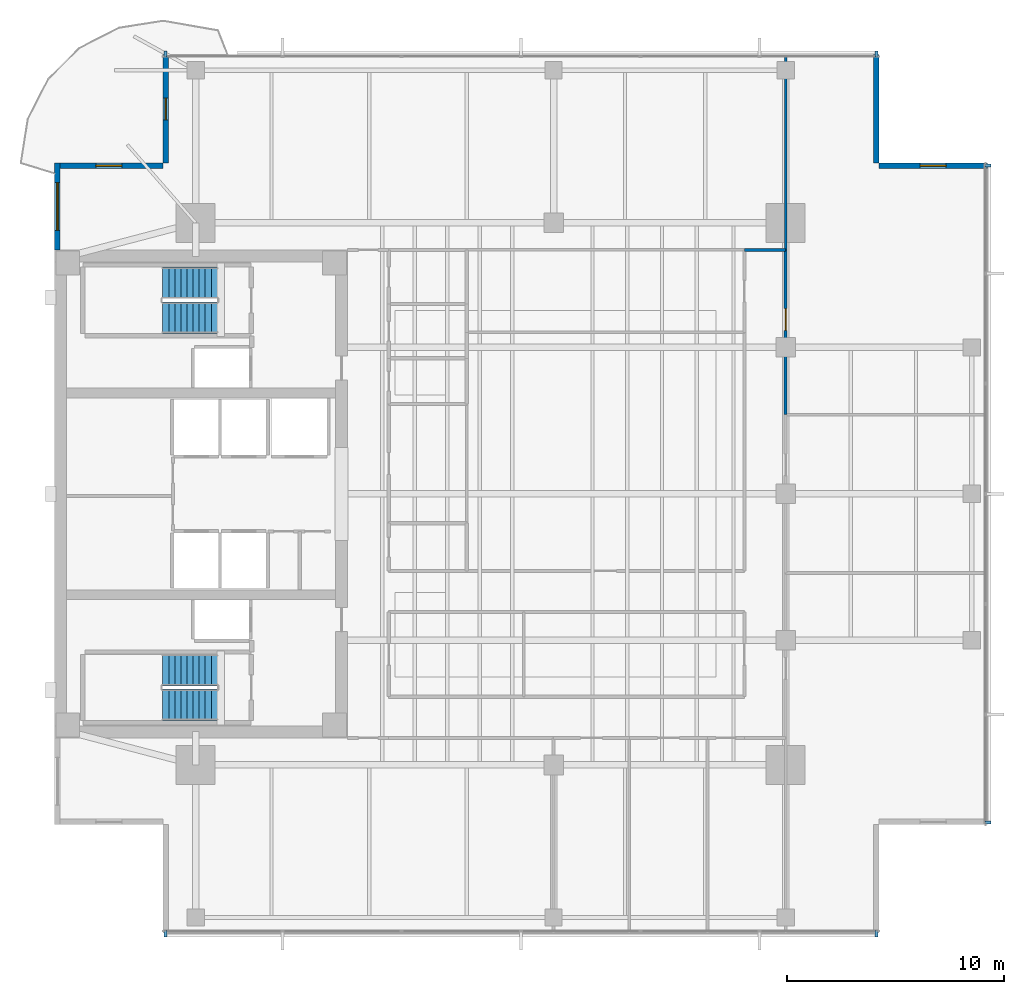
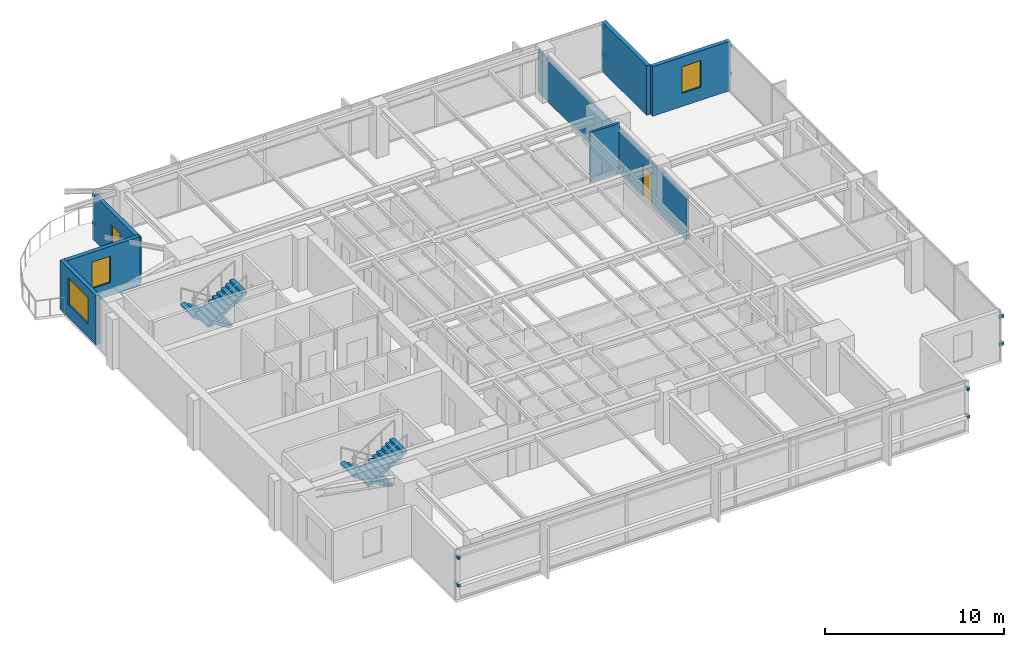
# One storey, part 10 of 14: 12 discrete accessories, 8 walls, 4 stair flights, 3 windows, 2 doors, 5 openings, 2 elements without a shape of their own.
"""IFC4 building model written with IfcOpenShell, lengths in metres."""

from ifc_helpers import new_model, si_unit, direction, frame, frame_2d, origin, origin_2d, place, context, subcontext, project, spatial, polyline, rectangle, outline, extrude, material, layer, layer_set, type_object, element, fill, aggregate, save


model = new_model("IFC4")

# Units and contexts
model_context = context("Model", 3, precision=1e-05, world=origin(), true_north=direction((0.0, 1.0)))
body_context = subcontext(model_context, "Body", "Model", "MODEL_VIEW")
ifc_project = project(units=[si_unit("LENGTHUNIT", "METRE"), si_unit("AREAUNIT", "SQUARE_METRE"), si_unit("VOLUMEUNIT", "CUBIC_METRE"), si_unit("PLANEANGLEUNIT", "RADIAN"), si_unit("MASSUNIT", "GRAM", prefix="KILO")], contexts=[model_context])

# Site, building, storey
site_placement = place(None, origin())
site = spatial("IfcSite", under=ifc_project, at=site_placement, CompositionType="ELEMENT")
building_placement = place(site_placement, origin())
building = spatial("IfcBuilding", under=site, at=building_placement, Name="Kinhvarn Gate Tower", CompositionType="ELEMENT")
storey_placement = place(building_placement, frame((0.0, 0.0, 223.550048828125)))
storey = spatial("IfcBuildingStorey", under=building, at=storey_placement, Name="L59", CompositionType="ELEMENT", Elevation=223.550048828125)

# Wall, opening, window
ifc_material_1 = material(Name="Fired architectural terracotta", Category="masonry")
ifc_layer_1 = layer(ifc_material_1, 0.25)
ifc_layer_set_1 = layer_set([ifc_layer_1], Name="Fired architectural terracotta")
wall_type_1 = type_object("IfcWallType", Name="WL-EXT-250", PredefinedType="SOLIDWALL", material=ifc_layer_set_1)
wall_1_placement = place(storey_placement, frame((4.625, 40.5, 0.0), z_axis=(0.0, 0.0, 1.0), x_axis=(0.0, -1.0, 0.0)))
wall_1 = element("IfcWall", 1, at=wall_1_placement, inside=storey, type_object=wall_type_1, Name="Exterior Solidwall Wall EW-250 (L59 West-North)", PredefinedType="SOLIDWALL", context=body_context, shape_type="SweptSolid", body=[
    extrude(rectangle(XDim=4.0, YDim=0.25, at=frame_2d((2.0, 0.0))), origin(), (0.0, 0.0, 1.0), 3.369873046875),
])
opening_1_placement = place(wall_1_placement, frame((0.89990234375, 0.0, 0.89990234375)))
opening_1 = element("IfcOpeningElement", 2, at=opening_1_placement, cuts=wall_1, Name="Opening WN-01", PredefinedType="OPENING", context=body_context, shape_type="SweptSolid", body=[
    extrude(rectangle(XDim=2.199951171875, YDim=1.800048828125, at=frame_2d((1.10009765625, 0.89990234375))), frame((0.0, 0.135009765625, 0.0), z_axis=(0.0, -1.0, 0.0), x_axis=(1.0, 0.0, 0.0)), (0.0, 0.0, 1.0), 0.27001953125),
])
ifc_material_2 = material(Name="Clear low-e double glazing", Category="glass")
window_type_1 = type_object("IfcWindowType", Name="WIN-RIB-2200", PartitioningType="SINGLE_PANEL", PredefinedType="WINDOW", material=ifc_material_2)
window_1_placement = place(opening_1_placement, origin())
window_1 = element("IfcWindow", 3, at=window_1_placement, inside=storey, type_object=window_type_1, Name="West Flank Double-Glazed Ribbon Window 2200x1800 mm (L59)", OverallHeight=1.800048828125, OverallWidth=2.199951171875, PartitioningType="SINGLE_PANEL", PredefinedType="WINDOW", context=body_context, shape_type="SweptSolid", body=[
    extrude(rectangle(XDim=2.199951171875, YDim=1.800048828125, at=frame_2d((1.10009765625, 0.89990234375))), frame((0.0, 0.030029296875, 0.0), z_axis=(0.0, -1.0, 0.0), x_axis=(1.0, 0.0, 0.0)), (0.0, 0.0, 1.0), 0.06005859375),
])
fill(opening_1, window_1)

wall_2_placement = place(storey_placement, frame((47.5, 40.375, 0.0), z_axis=(0.0, 0.0, 1.0), x_axis=(-1.0, 0.0, 0.0)))
wall_2 = element("IfcWall", 4, at=wall_2_placement, inside=storey, type_object=wall_type_1, Name="Exterior Solidwall Wall EW-250 (L59 NE-Notch-1)", PredefinedType="SOLIDWALL", context=body_context, shape_type="SweptSolid", body=[
    extrude(rectangle(XDim=5.0, YDim=0.25, at=frame_2d((2.5, 0.0))), origin(), (0.0, 0.0, 1.0), 3.369873046875),
])
opening_2_placement = place(wall_2_placement, frame((1.89990234375, 0.0, 0.89990234375)))
opening_2 = element("IfcOpeningElement", 5, at=opening_2_placement, cuts=wall_2, Name="Opening WN-02", PredefinedType="OPENING", context=body_context, shape_type="SweptSolid", body=[
    extrude(rectangle(XDim=1.199951171875, YDim=1.800048828125, at=frame_2d((0.60009765625, 0.89990234375))), frame((0.0, 0.135009765625, 0.0), z_axis=(0.0, -1.0, 0.0), x_axis=(1.0, 0.0, 0.0)), (0.0, 0.0, 1.0), 0.27001953125),
])
window_type_2 = type_object("IfcWindowType", Name="WIN-NTC-1200", PartitioningType="SINGLE_PANEL", PredefinedType="WINDOW", material=ifc_material_2)
window_2_placement = place(opening_2_placement, origin())
window_2 = element("IfcWindow", 6, at=window_2_placement, inside=storey, type_object=window_type_2, Name="Recessed Corner Notch Punched Window 1200x1800 mm (L59)", OverallHeight=1.800048828125, OverallWidth=1.199951171875, PartitioningType="SINGLE_PANEL", PredefinedType="WINDOW", context=body_context, shape_type="SweptSolid", body=[
    extrude(rectangle(XDim=1.199951171875, YDim=1.800048828125, at=frame_2d((0.60009765625, 0.89990234375))), frame((0.0, 0.030029296875, 0.0), z_axis=(0.0, -1.0, 0.0), x_axis=(1.0, 0.0, 0.0)), (0.0, 0.0, 1.0), 0.06005859375),
])
fill(opening_2, window_2)

# Wall
wall_3_placement = place(storey_placement, frame((42.375, 40.5, 0.0), z_axis=(0.0, 0.0, 1.0), x_axis=(0.0, 1.0, 0.0)))
element("IfcWall", 7, at=wall_3_placement, inside=storey, type_object=wall_type_1, Name="Exterior Solidwall Wall EW-250 (L59 NE-Notch-2)", PredefinedType="SOLIDWALL", context=body_context, shape_type="SweptSolid", body=[
    extrude(rectangle(XDim=5.0, YDim=0.25, at=frame_2d((2.5, 0.0))), origin(), (0.0, 0.0, 1.0), 3.369873046875),
])

# Wall, opening, door
wall_4_placement = place(storey_placement, frame((9.625, 45.5, 0.0), z_axis=(0.0, 0.0, 1.0), x_axis=(0.0, -1.0, 0.0)))
wall_4 = element("IfcWall", 8, at=wall_4_placement, inside=storey, type_object=wall_type_1, Name="Exterior Solidwall Wall EW-250 (L59 NW-Notch-Door)", PredefinedType="SOLIDWALL", context=body_context, shape_type="SweptSolid", body=[
    extrude(rectangle(XDim=5.0, YDim=0.25, at=frame_2d((2.5, 0.0))), origin(), (0.0, 0.0, 1.0), 3.099853515625),
])
opening_3_placement = place(wall_4_placement, frame((2.0, 0.0, 0.0)))
opening_3 = element("IfcOpeningElement", 9, at=opening_3_placement, cuts=wall_4, Name="Opening BD-01", PredefinedType="OPENING", context=body_context, shape_type="SweptSolid", body=[
    extrude(rectangle(XDim=1.0, YDim=2.199951171875, at=frame_2d((0.5, 1.10009765625))), frame((0.0, 0.135009765625, 0.0), z_axis=(0.0, -1.0, 0.0), x_axis=(1.0, 0.0, 0.0)), (0.0, 0.0, 1.0), 0.27001953125),
])
door_type_1 = type_object("IfcDoorType", Name="DR-BAL-1000", OperationType="NOTDEFINED", PredefinedType="DOOR", material=ifc_material_2)
door_1_placement = place(opening_3_placement, frame((1.0, 0.0, 0.0), z_axis=(0.0, 0.0, 1.0), x_axis=(-1.0, 0.0, 0.0)))
door_1 = element("IfcDoor", 10, at=door_1_placement, inside=storey, type_object=door_type_1, Name="S-Carve Balcony Door BD-01 (L59)", OperationType="SINGLE_SWING_RIGHT", OverallHeight=2.199951171875, OverallWidth=1.0, PredefinedType="DOOR", context=body_context, shape_type="SweptSolid", body=[
    extrude(rectangle(XDim=1.0, YDim=2.199951171875, at=frame_2d((0.5, 1.10009765625))), frame((0.0, 0.02490234375, 0.0), z_axis=(0.0, -1.0, 0.0), x_axis=(1.0, 0.0, 0.0)), (0.0, 0.0, 1.0), 0.050048828125),
])
fill(opening_3, door_1)

# Wall, opening, window
wall_5_placement = place(storey_placement, frame((9.5, 40.375, 0.0), z_axis=(0.0, 0.0, 1.0), x_axis=(-1.0, 0.0, 0.0)))
wall_5 = element("IfcWall", 11, at=wall_5_placement, inside=storey, type_object=wall_type_1, Name="Exterior Solidwall Wall EW-250 (L59 NW-Notch-Win)", PredefinedType="SOLIDWALL", context=body_context, shape_type="SweptSolid", body=[
    extrude(rectangle(XDim=5.0, YDim=0.25, at=frame_2d((2.5, 0.0))), origin(), (0.0, 0.0, 1.0), 3.369873046875),
])
opening_4_placement = place(wall_5_placement, frame((1.89990234375, 0.0, 0.89990234375)))
opening_4 = element("IfcOpeningElement", 12, at=opening_4_placement, cuts=wall_5, Name="Opening WN-02", PredefinedType="OPENING", context=body_context, shape_type="SweptSolid", body=[
    extrude(rectangle(XDim=1.199951171875, YDim=1.800048828125, at=frame_2d((0.60009765625, 0.89990234375))), frame((0.0, 0.135009765625, 0.0), z_axis=(0.0, -1.0, 0.0), x_axis=(1.0, 0.0, 0.0)), (0.0, 0.0, 1.0), 0.27001953125),
])
window_3_placement = place(opening_4_placement, origin())
window_3 = element("IfcWindow", 13, at=window_3_placement, inside=storey, type_object=window_type_2, Name="Recessed Corner Notch Punched Window 1200x1800 mm (L59)", OverallHeight=1.800048828125, OverallWidth=1.199951171875, PartitioningType="SINGLE_PANEL", PredefinedType="WINDOW", context=body_context, shape_type="SweptSolid", body=[
    extrude(rectangle(XDim=1.199951171875, YDim=1.800048828125, at=frame_2d((0.60009765625, 0.89990234375))), frame((0.0, 0.030029296875, 0.0), z_axis=(0.0, -1.0, 0.0), x_axis=(1.0, 0.0, 0.0)), (0.0, 0.0, 1.0), 0.06005859375),
])
fill(opening_4, window_3)

# Walls
ifc_material_3 = material(Name="Gypsum acoustic partition board")
ifc_layer_2 = layer(ifc_material_3, 0.1201171875)
ifc_layer_set_2 = layer_set([ifc_layer_2], Name="Gypsum acoustic partition board")
wall_type_2 = type_object("IfcWallType", Name="WL-PRT-120", PredefinedType="PARTITIONING", material=ifc_layer_set_2)
wall_6_placement = place(storey_placement, frame((38.199951171875, 36.5, 0.0), z_axis=(0.0, 0.0, 1.0), x_axis=(0.0, 1.0, 0.0)))
element("IfcWall", 14, at=wall_6_placement, inside=storey, type_object=wall_type_2, Name="Interior Partition PW-120 (L59)", PredefinedType="PARTITIONING", context=body_context, shape_type="SweptSolid", body=[
    extrude(rectangle(XDim=8.989990234375, YDim=0.1201171875, at=frame_2d((4.4951171875, 0.0))), origin(), (0.0, 0.0, 1.0), 2.919921875),
])
ifc_layer_3 = layer(ifc_material_3, 0.14990234375)
ifc_layer_set_3 = layer_set([ifc_layer_3], Name="Gypsum acoustic partition board")
wall_type_3 = type_object("IfcWallType", Name="WL-PRT-150F", PredefinedType="PARTITIONING", material=ifc_layer_set_3)
wall_7_placement = place(storey_placement, frame((36.300048828125, 36.5, 0.0), z_axis=(0.0, 0.0, 1.0), x_axis=(1.0, 0.0, 0.0)))
element("IfcWall", 15, at=wall_7_placement, inside=storey, type_object=wall_type_3, Name="Interior Partition PW-150F (L59)", PredefinedType="PARTITIONING", context=body_context, shape_type="SweptSolid", body=[
    extrude(rectangle(XDim=1.89990234375, YDim=0.14990234375, at=frame_2d((0.949951171875, 0.0))), origin(), (0.0, 0.0, 1.0), 3.369873046875),
])

# Wall, opening, door
wall_8_placement = place(storey_placement, frame((38.199951171875, 28.89990234375, 0.0), z_axis=(0.0, 0.0, 1.0), x_axis=(0.0, 1.0, 0.0)))
wall_8 = element("IfcWall", 16, at=wall_8_placement, inside=storey, type_object=wall_type_3, Name="Interior Partition PW-150F (L59)", PredefinedType="PARTITIONING", context=body_context, shape_type="SweptSolid", body=[
    extrude(rectangle(XDim=7.60009765625, YDim=0.14990234375, at=frame_2d((3.800048828125, 0.0))), origin(), (0.0, 0.0, 1.0), 2.919921875),
])
opening_5_placement = place(wall_8_placement, frame((3.89404296875, 0.0, 0.0)))
opening_5 = element("IfcOpeningElement", 17, at=opening_5_placement, cuts=wall_8, Name="Opening ID-02", PredefinedType="OPENING", context=body_context, shape_type="SweptSolid", body=[
    extrude(rectangle(XDim=1.0, YDim=2.14990234375, at=frame_2d((0.5, 1.074951171875))), frame((0.0, 0.0849609375, 0.0), z_axis=(0.0, -1.0, 0.0), x_axis=(1.0, 0.0, 0.0)), (0.0, 0.0, 1.0), 0.169921875),
])
ifc_material_4 = material(Name="Anodised aluminium AW-6063", Category="aluminium")
door_type_2 = type_object("IfcDoorType", Name="DR-INT-1000", OperationType="NOTDEFINED", PredefinedType="DOOR", material=ifc_material_4)
door_2_placement = place(opening_5_placement, origin())
door_2 = element("IfcDoor", 18, at=door_2_placement, inside=storey, type_object=door_type_2, Name="Standard Office & Meeting Room Door 1000x2150 mm (L59)", OperationType="SINGLE_SWING_LEFT", OverallHeight=2.14990234375, OverallWidth=1.0, PredefinedType="DOOR", context=body_context, shape_type="SweptSolid", body=[
    extrude(rectangle(XDim=1.0, YDim=2.14990234375, at=frame_2d((0.5, 1.074951171875))), frame((0.0, 0.02490234375, 0.0), z_axis=(0.0, -1.0, 0.0), x_axis=(1.0, 0.0, 0.0)), (0.0, 0.0, 1.0), 0.050048828125),
])
fill(opening_5, door_2)

# Stair, stair flights
ifc_material_5 = material(Name="Concrete C40/50", Category="concrete")
stair_type = type_object("IfcStairType", Name="STR-DLG-177", PredefinedType="HALF_TURN_STAIR", material=ifc_material_5)
stair_1_placement = place(storey_placement, origin())
stair_1 = element("IfcStair", 19, at=stair_1_placement, inside=storey, type_object=stair_type, Name="L59 Core Smokeproof Exit Stair ST1", PredefinedType="HALF_TURN_STAIR")
stair_flight_type = type_object("IfcStairFlightType", Name="STF-DLG-177", PredefinedType="STRAIGHT", material=ifc_material_5)
stair_flight_1_placement = place(storey_placement, frame((12.0, 17.125, 0.0), z_axis=(0.0, 0.0, 1.0), x_axis=(-1.0, 0.0, 0.0)))
stair_flight_1 = element("IfcStairFlight", 20, at=stair_flight_1_placement, type_object=stair_flight_type, Name="ST1 flight 1", NumberOfRisers=10, NumberOfTreads=9, PredefinedType="STRAIGHT", RiserHeight=0.1775, TreadLength=0.28, context=body_context, shape_type="SweptSolid", body=[
    extrude(outline(polyline([(0.0, 0.0), (0.0, 0.177490234375), (0.280029296875, 0.177490234375), (0.280029296875, 0.35498046875), (0.56005859375, 0.35498046875), (0.56005859375, 0.532470703125), (0.840087890625, 0.532470703125), (0.840087890625, 0.7099609375), (1.1201171875, 0.7099609375), (1.1201171875, 0.887451171875), (1.39990234375, 0.887451171875), (1.39990234375, 1.06494140625), (1.679931640625, 1.06494140625), (1.679931640625, 1.242431640625), (1.9599609375, 1.242431640625), (1.9599609375, 1.419921875), (2.239990234375, 1.419921875), (2.239990234375, 1.597412109375), (2.52001953125, 1.597412109375), (2.52001953125, 1.77490234375), (2.52001953125, 1.419921875), (0.280029296875, 0.0), (0.0, 0.0)])), frame((0.0, 0.72509765625, 0.0), z_axis=(0.0, -1.0, 0.0), x_axis=(1.0, 0.0, 0.0)), (0.0, 0.0, 1.0), 1.449951171875),
])
stair_flight_2_placement = place(storey_placement, frame((9.47998046875, 15.52490234375, 1.77490234375), z_axis=(0.0, 0.0, 1.0), x_axis=(1.0, 0.0, 0.0)))
stair_flight_2 = element("IfcStairFlight", 21, at=stair_flight_2_placement, type_object=stair_flight_type, Name="ST1 flight 2", NumberOfRisers=10, NumberOfTreads=9, PredefinedType="STRAIGHT", RiserHeight=0.1775, TreadLength=0.28, context=body_context, shape_type="SweptSolid", body=[
    extrude(outline(polyline([(0.0, 0.0), (0.0, 0.177490234375), (0.280029296875, 0.177490234375), (0.280029296875, 0.35498046875), (0.56005859375, 0.35498046875), (0.56005859375, 0.532470703125), (0.840087890625, 0.532470703125), (0.840087890625, 0.7099609375), (1.1201171875, 0.7099609375), (1.1201171875, 0.887451171875), (1.39990234375, 0.887451171875), (1.39990234375, 1.06494140625), (1.679931640625, 1.06494140625), (1.679931640625, 1.242431640625), (1.9599609375, 1.242431640625), (1.9599609375, 1.419921875), (2.239990234375, 1.419921875), (2.239990234375, 1.597412109375), (2.52001953125, 1.597412109375), (2.52001953125, 1.77490234375), (2.52001953125, 1.419921875), (0.280029296875, 0.0), (0.0, 0.0)])), frame((0.0, 0.72509765625, 0.0), z_axis=(0.0, -1.0, 0.0), x_axis=(1.0, 0.0, 0.0)), (0.0, 0.0, 1.0), 1.449951171875),
])
aggregate(stair_1, [stair_flight_1, stair_flight_2])

stair_2_placement = place(storey_placement, origin())
stair_2 = element("IfcStair", 22, at=stair_2_placement, inside=storey, type_object=stair_type, Name="L59 Core Smokeproof Exit Stair ST2", PredefinedType="HALF_TURN_STAIR")
stair_flight_3_placement = place(storey_placement, frame((12.0, 34.97509765625, 0.0), z_axis=(0.0, 0.0, 1.0), x_axis=(-1.0, 0.0, 0.0)))
stair_flight_3 = element("IfcStairFlight", 23, at=stair_flight_3_placement, type_object=stair_flight_type, Name="ST2 flight 1", NumberOfRisers=10, NumberOfTreads=9, PredefinedType="STRAIGHT", RiserHeight=0.1775, TreadLength=0.28, context=body_context, shape_type="SweptSolid", body=[
    extrude(outline(polyline([(0.0, 0.0), (0.0, 0.177490234375), (0.280029296875, 0.177490234375), (0.280029296875, 0.35498046875), (0.56005859375, 0.35498046875), (0.56005859375, 0.532470703125), (0.840087890625, 0.532470703125), (0.840087890625, 0.7099609375), (1.1201171875, 0.7099609375), (1.1201171875, 0.887451171875), (1.39990234375, 0.887451171875), (1.39990234375, 1.06494140625), (1.679931640625, 1.06494140625), (1.679931640625, 1.242431640625), (1.9599609375, 1.242431640625), (1.9599609375, 1.419921875), (2.239990234375, 1.419921875), (2.239990234375, 1.597412109375), (2.52001953125, 1.597412109375), (2.52001953125, 1.77490234375), (2.52001953125, 1.419921875), (0.280029296875, 0.0), (0.0, 0.0)])), frame((0.0, 0.72509765625, 0.0), z_axis=(0.0, -1.0, 0.0), x_axis=(1.0, 0.0, 0.0)), (0.0, 0.0, 1.0), 1.449951171875),
])
stair_flight_4_placement = place(storey_placement, frame((9.47998046875, 33.375, 1.77490234375), z_axis=(0.0, 0.0, 1.0), x_axis=(1.0, 0.0, 0.0)))
stair_flight_4 = element("IfcStairFlight", 24, at=stair_flight_4_placement, type_object=stair_flight_type, Name="ST2 flight 2", NumberOfRisers=10, NumberOfTreads=9, PredefinedType="STRAIGHT", RiserHeight=0.1775, TreadLength=0.28, context=body_context, shape_type="SweptSolid", body=[
    extrude(outline(polyline([(0.0, 0.0), (0.0, 0.177490234375), (0.280029296875, 0.177490234375), (0.280029296875, 0.35498046875), (0.56005859375, 0.35498046875), (0.56005859375, 0.532470703125), (0.840087890625, 0.532470703125), (0.840087890625, 0.7099609375), (1.1201171875, 0.7099609375), (1.1201171875, 0.887451171875), (1.39990234375, 0.887451171875), (1.39990234375, 1.06494140625), (1.679931640625, 1.06494140625), (1.679931640625, 1.242431640625), (1.9599609375, 1.242431640625), (1.9599609375, 1.419921875), (2.239990234375, 1.419921875), (2.239990234375, 1.597412109375), (2.52001953125, 1.597412109375), (2.52001953125, 1.77490234375), (2.52001953125, 1.419921875), (0.280029296875, 0.0), (0.0, 0.0)])), frame((0.0, 0.72509765625, 0.0), z_axis=(0.0, -1.0, 0.0), x_axis=(1.0, 0.0, 0.0)), (0.0, 0.0, 1.0), 1.449951171875),
])
aggregate(stair_2, [stair_flight_3, stair_flight_4])

# Discrete accessories
discrete_accessory_type = type_object("IfcDiscreteAccessoryType", Name="ACC-BRK-01", PredefinedType="BRACKET", material=ifc_material_4)
for number, where, z_axis, x_axis, name in (
    (25, (9.60009765625, 4.969970703125, 0.9599609375), (0.0, 0.0, 1.0), (1.0, 0.0, 0.0), "Baguette Support Bracket BK-01 (L59)"),
    (26, (9.60009765625, 4.969970703125, 2.830078125), (0.0, 0.0, 1.0), (1.0, 0.0, 0.0), "Baguette Support Bracket BK-01 (L59)"),
    (27, (42.39990234375, 4.969970703125, 0.9599609375), (0.0, 0.0, 1.0), (1.0, 0.0, 0.0), "Baguette Support Bracket BK-01 (L59)"),
    (28, (42.39990234375, 4.969970703125, 2.830078125), (0.0, 0.0, 1.0), (1.0, 0.0, 0.0), "Baguette Support Bracket BK-01 (L59)"),
    (29, (42.39990234375, 45.530029296875, 0.9599609375), (0.0, 0.0, 1.0), (-1.0, 0.0, 0.0), "Baguette Support Bracket BK-01 (L59)"),
    (30, (42.39990234375, 45.530029296875, 2.830078125), (0.0, 0.0, 1.0), (-1.0, 0.0, 0.0), "Baguette Support Bracket BK-01 (L59)"),
    (31, (9.60009765625, 45.530029296875, 0.9599609375), (0.0, 0.0, 1.0), (-1.0, 0.0, 0.0), "Baguette Support Bracket BK-01 (L59)"),
    (32, (9.60009765625, 45.530029296875, 2.830078125), (0.0, 0.0, 1.0), (-1.0, 0.0, 0.0), "Baguette Support Bracket BK-01 (L59)"),
    (33, (47.530029296875, 10.10009765625, 0.9599609375), (0.0, 0.0, 1.0), (0.0, 1.0, 0.0), "Baguette Support Bracket BK-01 (L59)"),
    (34, (47.530029296875, 10.10009765625, 2.830078125), (0.0, 0.0, 1.0), (0.0, 1.0, 0.0), "Baguette Support Bracket BK-01 (L59)"),
    (35, (47.530029296875, 40.39990234375, 0.9599609375), (0.0, 0.0, 1.0), (0.0, 1.0, 0.0), "Baguette Support Bracket BK-01 (L59)"),
    (36, (47.530029296875, 40.39990234375, 2.830078125), (0.0, 0.0, 1.0), (0.0, 1.0, 0.0), "Baguette Support Bracket BK-01 (L59)"),
):
    element("IfcDiscreteAccessory", number, at=place(storey_placement, frame(where, z_axis=z_axis, x_axis=x_axis)), inside=storey, type_object=discrete_accessory_type, Name=name, PredefinedType="BRACKET", context=body_context, shape_type="SweptSolid", body=[
        extrude(rectangle(XDim=0.139892578125, YDim=0.280029296875, at=origin_2d()), origin(), (0.0, 0.0, 1.0), 0.179931640625),
    ])

save(model, "model.ifc")
